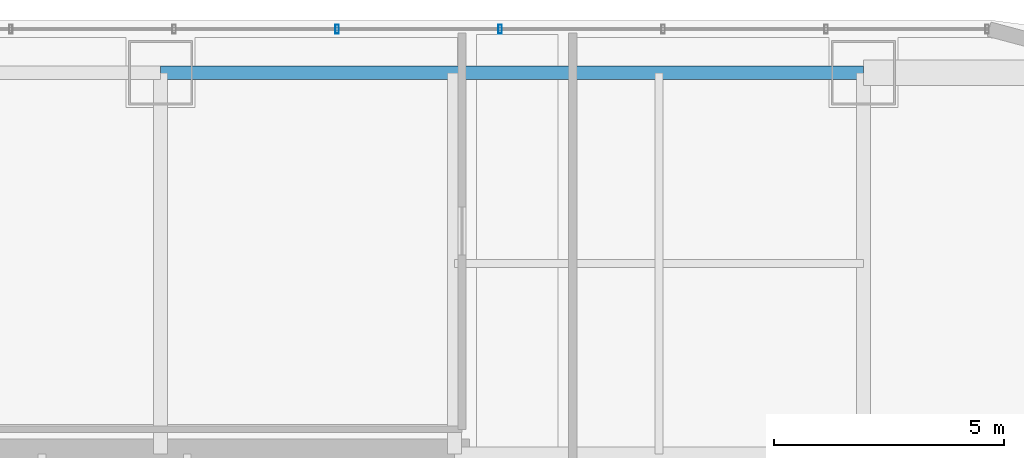
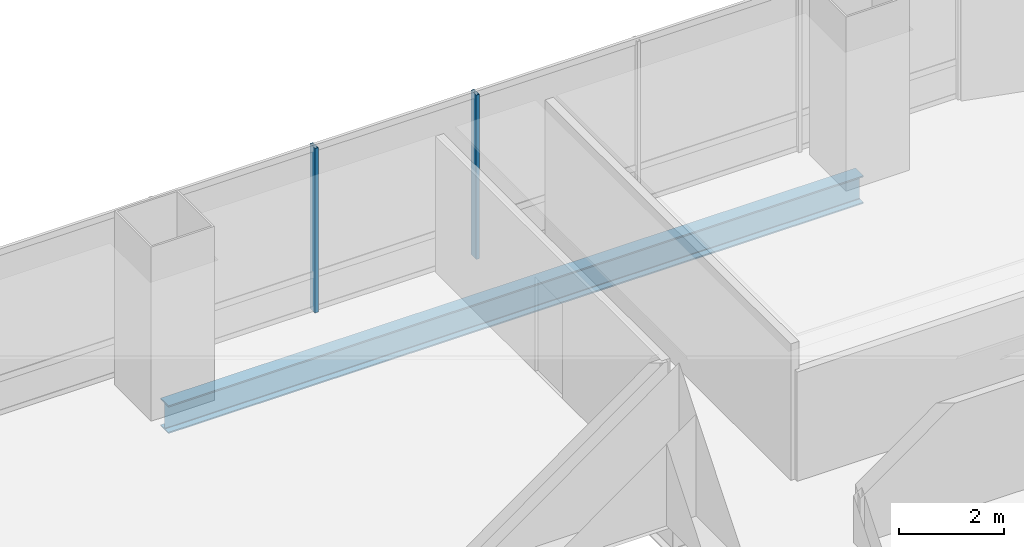
# One storey, part 25 of 37: 2 members, 1 beam, 1 element without a shape of its own.
"""IFC4 building model written with IfcOpenShell, lengths in metres."""

from ifc_helpers import new_model, si_unit, direction, frame, origin, origin_2d, place, context, subcontext, project, spatial, hollow_rectangle, i_section, extrude, material, material_profile, profile_set, type_object, element, aggregate, save


model = new_model("IFC4")

# Units and contexts
model_context = context("Model", 3, precision=1e-05, world=origin(), true_north=direction((0.0, 1.0)))
body_context = subcontext(model_context, "Body", "Model", "MODEL_VIEW")
ifc_project = project(units=[si_unit("LENGTHUNIT", "METRE"), si_unit("AREAUNIT", "SQUARE_METRE"), si_unit("VOLUMEUNIT", "CUBIC_METRE"), si_unit("PLANEANGLEUNIT", "RADIAN"), si_unit("MASSUNIT", "GRAM", prefix="KILO")], contexts=[model_context])

# Site, building, storey
site_placement = place(None, origin())
site = spatial("IfcSite", under=ifc_project, at=site_placement, CompositionType="ELEMENT")
building_placement = place(site_placement, origin())
building = spatial("IfcBuilding", under=site, at=building_placement, Name="Punatoya Terracotta Tower", CompositionType="ELEMENT")
storey_placement = place(building_placement, frame((0.0, 0.0, 224.85009765625)))
storey = spatial("IfcBuildingStorey", under=building, at=storey_placement, Name="L53", CompositionType="ELEMENT", Elevation=224.85009765625)

# Beam
ifc_material_1 = material(Name="Steel S355", Category="steel")
ifc_material_profile_1 = material_profile(ifc_material_1, i_section(OverallWidth=0.300048828125, OverallDepth=0.64990234375, WebThickness=0.01611328125, FlangeThickness=0.031005859375, FilletRadius=0.01806640625, at=origin_2d()))
ifc_profile_set_1 = profile_set([ifc_material_profile_1], Name="Steel S355")
beam_type = type_object("IfcBeamType", Name="BM-PRI-650", PredefinedType="BEAM", material=ifc_profile_set_1)
beam_placement = place(storey_placement, frame((3.800048828125, 17.5, -0.545166015625), z_axis=(1.0, 0.0, 0.0), x_axis=(0.0, 1.0, 0.0)))
element("IfcBeam", 1, at=beam_placement, inside=storey, type_object=beam_type, Name="BM-L53-RG-N3", PredefinedType="BEAM", context=body_context, shape_type="SweptSolid", body=[
    extrude(i_section(OverallWidth=0.300048828125, OverallDepth=0.64990234375, WebThickness=0.01611328125, FlangeThickness=0.031005859375, FilletRadius=0.01806640625, at=origin_2d()), origin(), (0.0, 0.0, 1.0), 15.300048828125),
])

# Curtain wall, members
ifc_material_2 = material(Name="Aluminium 6063-T6 + Double Low-E Glass", Category="aluminium")
curtain_wall_type = type_object("IfcCurtainWallType", Name="CW-M2", PredefinedType="NOTDEFINED", material=ifc_material_2)
curtain_wall_placement = place(storey_placement, origin())
curtain_wall = element("IfcCurtainWall", 2, at=curtain_wall_placement, inside=storey, type_object=curtain_wall_type, Name="L53 Curtain Wall CW-L53-N08-1", PredefinedType="NOTDEFINED")
ifc_material_3 = material(Name="Aluminium 6063-T6", Category="aluminium")
ifc_material_profile_2 = material_profile(ifc_material_3, hollow_rectangle(XDim=0.072021484375, YDim=0.195068359375, WallThickness=0.00439453125, at=origin_2d()))
ifc_profile_set_2 = profile_set([ifc_material_profile_2], Name="Aluminium 6063-T6")
member_type = type_object("IfcMemberType", Name="CW-MUL-M2", PredefinedType="MULLION", material=ifc_profile_set_2)
member_1_placement = place(storey_placement, frame((11.19091796875, 18.449951171875, 0.0), z_axis=(0.0, 0.0, 1.0), x_axis=(1.0, 0.0, 0.0)))
member_1 = element("IfcMember", 3, at=member_1_placement, type_object=member_type, Name="CW-L53-N08-1 Mullion 03", PredefinedType="MULLION", context=body_context, shape_type="SweptSolid", body=[
    extrude(hollow_rectangle(XDim=0.072021484375, YDim=0.195068359375, WallThickness=0.00439453125, at=origin_2d()), origin(), (0.0, 0.0, 1.0), 3.829833984375),
])
member_2_placement = place(storey_placement, frame((7.64208984375, 18.449951171875, 0.0), z_axis=(0.0, 0.0, 1.0), x_axis=(1.0, 0.0, 0.0)))
member_2 = element("IfcMember", 4, at=member_2_placement, type_object=member_type, Name="CW-L53-N08-1 Mullion 04", PredefinedType="MULLION", context=body_context, shape_type="SweptSolid", body=[
    extrude(hollow_rectangle(XDim=0.072021484375, YDim=0.195068359375, WallThickness=0.00439453125, at=origin_2d()), origin(), (0.0, 0.0, 1.0), 3.829833984375),
])
aggregate(curtain_wall, [member_1, member_2])

save(model, "model.ifc")
